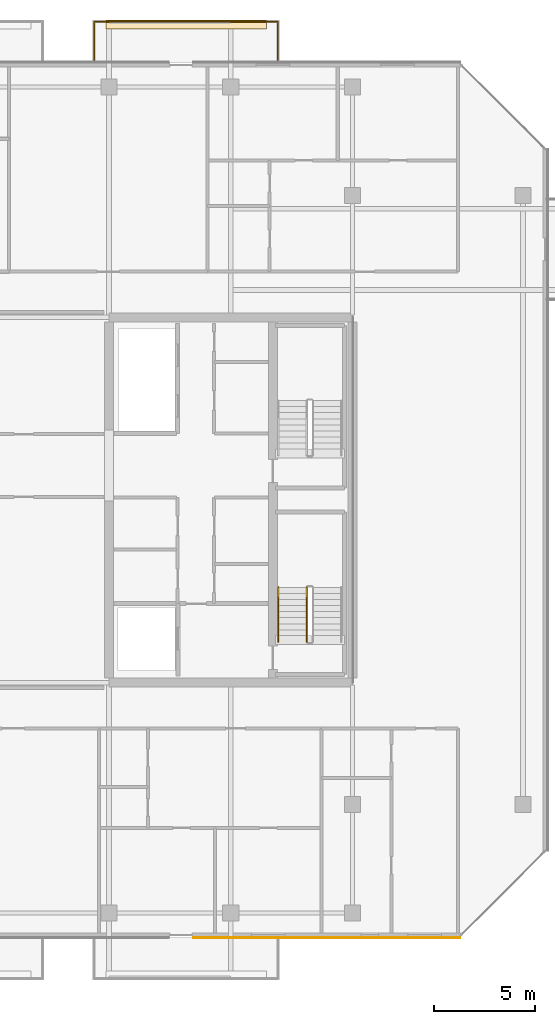
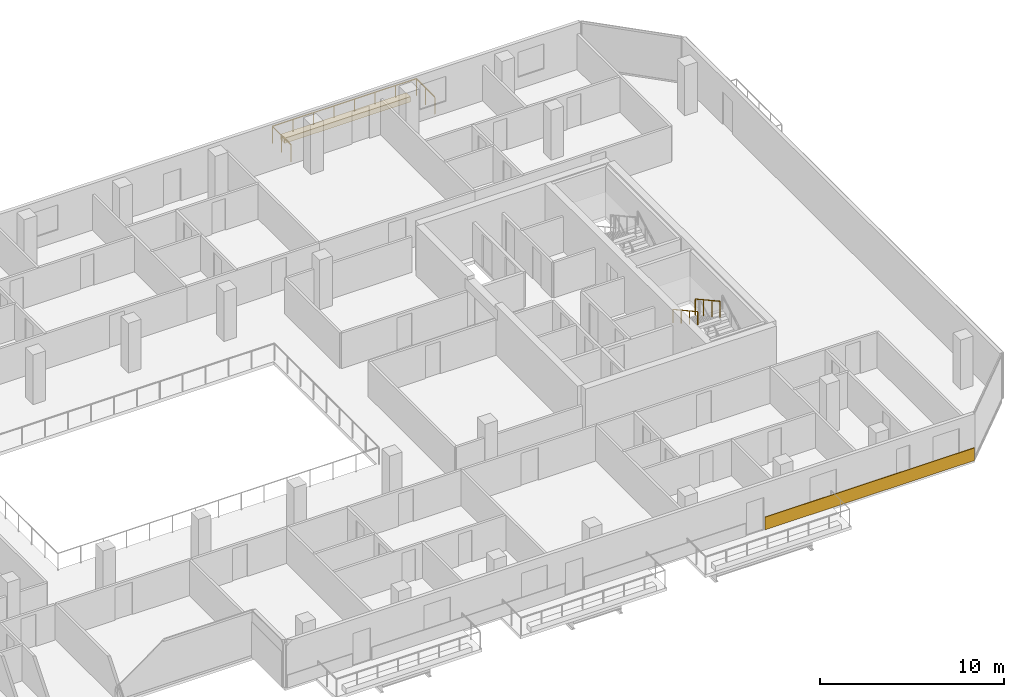
# One storey, part 28 of 29: 3 railings, 2 coverings.
"""IFC4 building model written with IfcOpenShell, lengths in metres."""

from ifc_helpers import new_model, si_unit, direction, frame, origin, origin_2d, place, context, subcontext, project, spatial, polyline, rectangle, outline, extrude, material, layer, layer_set, type_object, element, save


model = new_model("IFC4")

# Units and contexts
model_context = context("Model", 3, precision=1e-05, world=origin(), true_north=direction((0.0, 1.0)))
body_context = subcontext(model_context, "Body", "Model", "MODEL_VIEW")
ifc_project = project(units=[si_unit("LENGTHUNIT", "METRE"), si_unit("AREAUNIT", "SQUARE_METRE"), si_unit("VOLUMEUNIT", "CUBIC_METRE"), si_unit("PLANEANGLEUNIT", "RADIAN"), si_unit("MASSUNIT", "GRAM", prefix="KILO")], contexts=[model_context])

# Site, building, storey
site_placement = place(None, origin())
site = spatial("IfcSite", under=ifc_project, at=site_placement, CompositionType="ELEMENT")
building_placement = place(site_placement, origin())
building = spatial("IfcBuilding", under=site, at=building_placement, Name="Tanjung Sevakor Pilgrim Tower", CompositionType="ELEMENT")
storey_placement = place(building_placement, frame((0.0, 0.0, 188.429931640625)))
storey = spatial("IfcBuildingStorey", under=building, at=storey_placement, Name="L52", CompositionType="ELEMENT", Elevation=188.429931640625)

# Coverings
ifc_material_1 = material(Name="Reconstructed Limestone Cladding", Category="masonry")
ifc_layer_1 = layer(ifc_material_1, 0.044921875)
ifc_layer_set_1 = layer_set([ifc_layer_1], Name="COV-CLAD-LIMESTONE")
covering_type_1 = type_object("IfcCoveringType", Name="COV-CLAD-LIMESTONE", PredefinedType="CLADDING", material=ifc_layer_set_1)
covering_1_placement = place(storey_placement, frame((88.7373046875, 12.027587890625, 0.01025390625), z_axis=(0.0, 0.0, 1.0), x_axis=(1.0, 0.0, 0.0)))
element("IfcCovering", 1, at=covering_1_placement, inside=storey, type_object=covering_type_1, Name="L52 Warm Limestone Sill Spandrel EW-L52-MAIN-5-4", PredefinedType="CLADDING", context=body_context, shape_type="SweptSolid", body=[
    extrude(rectangle(XDim=13.154296875, YDim=0.044921875, at=origin_2d()), origin(), (0.0, 0.0, 1.0), 0.840087890625),
])
ifc_material_2 = material(Name="Vegetated Modular Planter Assembly", Category="organic")
ifc_layer_2 = layer(ifc_material_2, 0.35009765625)
ifc_layer_set_2 = layer_set([ifc_layer_2], Name="COV-GRN-TROUGH")
covering_type_2 = type_object("IfcCoveringType", Name="COV-GRN-TROUGH", PredefinedType="CLADDING", material=ifc_layer_set_2)
covering_2_placement = place(storey_placement, origin())
element("IfcCovering", 2, at=covering_2_placement, inside=storey, type_object=covering_type_2, Name="L52 Planted Landscape Hedge Trough BGRN-L52-MAIN-N4", PredefinedType="CLADDING", context=body_context, shape_type="SweptSolid", body=[
    extrude(outline(polyline([(77.85009765625, 56.81005859375), (85.75, 56.81005859375), (85.75, 57.25), (77.85009765625, 57.25), (77.85009765625, 56.81005859375)])), origin(), (0.0, 0.0, 1.0), 0.35009765625),
])

# Railings
ifc_material_3 = material(Name="Laminated Glass and Aluminium", Category="aluminium")
railing_type_1 = type_object("IfcRailingType", Name="RL-BAL-BALUST", PredefinedType="BALUSTRADE", material=ifc_material_3)
railing_1_placement = place(storey_placement, frame((77.280029296875, 55.14990234375, 0.0)))
element("IfcRailing", 3, at=railing_1_placement, inside=storey, type_object=railing_type_1, Name="L52 Loggia Balustrade MAIN-N4", PredefinedType="BALUSTRADE", context=body_context, shape_type="SweptSolid", body=[
    extrude(rectangle(XDim=0.0479, YDim=0.0479), frame((0.0, 0.0, 1.1259765625), z_axis=(0.0, 1.0, 0.0), x_axis=(-1.0, 0.0, 0.0)), (0.0, 0.0, 1.0), 2.02001953125),
    extrude(rectangle(XDim=0.0479, YDim=0.0479), frame((0.0, 2.02001953125, 1.1259765625), z_axis=(1.0, 0.0, 0.0), x_axis=(0.0, 1.0, 0.0)), (0.0, 0.0, 1.0), 9.0400390625),
    extrude(rectangle(XDim=0.0479, YDim=0.0479), frame((9.0400390625, 2.02001953125, 1.1259765625), z_axis=(0.0, -1.0, 0.0), x_axis=(1.0, 0.0, 0.0)), (0.0, 0.0, 1.0), 2.02001953125),
    extrude(rectangle(XDim=0.042, YDim=0.042), origin(), (0.0, 0.0, 1.0), 1.101806640625),
    extrude(rectangle(XDim=0.042, YDim=0.042), frame((0.0, 1.010009765625, 0.0)), (0.0, 0.0, 1.0), 1.101806640625),
    extrude(rectangle(XDim=0.042, YDim=0.042), frame((0.0, 2.02001953125, 0.0)), (0.0, 0.0, 1.0), 1.101806640625),
    extrude(rectangle(XDim=0.042, YDim=0.042), frame((1.29150390625, 2.02001953125, 0.0)), (0.0, 0.0, 1.0), 1.101806640625),
    extrude(rectangle(XDim=0.042, YDim=0.042), frame((2.582763671875, 2.02001953125, 0.0)), (0.0, 0.0, 1.0), 1.101806640625),
    extrude(rectangle(XDim=0.042, YDim=0.042), frame((3.874267578125, 2.02001953125, 0.0)), (0.0, 0.0, 1.0), 1.101806640625),
    extrude(rectangle(XDim=0.042, YDim=0.042), frame((5.165771484375, 2.02001953125, 0.0)), (0.0, 0.0, 1.0), 1.101806640625),
    extrude(rectangle(XDim=0.042, YDim=0.042), frame((6.457275390625, 2.02001953125, 0.0)), (0.0, 0.0, 1.0), 1.101806640625),
    extrude(rectangle(XDim=0.042, YDim=0.042), frame((7.74853515625, 2.02001953125, 0.0)), (0.0, 0.0, 1.0), 1.101806640625),
    extrude(rectangle(XDim=0.042, YDim=0.042), frame((9.0400390625, 2.02001953125, 0.0)), (0.0, 0.0, 1.0), 1.101806640625),
    extrude(rectangle(XDim=0.042, YDim=0.042), frame((9.0400390625, 1.010009765625, 0.0)), (0.0, 0.0, 1.0), 1.101806640625),
    extrude(rectangle(XDim=0.042, YDim=0.042), frame((9.0400390625, 0.0, 0.0)), (0.0, 0.0, 1.0), 1.101806640625),
])
ifc_material_4 = material(Name="Steel S355J2", Category="steel")
railing_type_2 = type_object("IfcRailingType", Name="RL-STAIR-GUARD", PredefinedType="GUARDRAIL", material=ifc_material_4)
railing_2_placement = place(storey_placement, frame((87.75, 29.300048828125, 1.815185546875)))
element("IfcRailing", 4, at=railing_2_placement, inside=storey, type_object=railing_type_2, Name="L52 TS-E1 stair guard 3", PredefinedType="GUARDRAIL", context=body_context, shape_type="SweptSolid", body=[
    extrude(rectangle(XDim=0.0479, YDim=0.0479), frame((0.0, 0.0, 1.076171875), z_axis=(0.0, -0.876230963923, 0.481891375584), x_axis=(1.0, 0.0, 0.0)), (0.0, 0.0, 1.0), 3.081298828125),
    extrude(rectangle(XDim=0.042, YDim=0.042), origin(), (0.0, 0.0, 1.0), 1.052001953125),
    extrude(rectangle(XDim=0.042, YDim=0.042), frame((0.0, -0.89990234375, 0.494873046875)), (0.0, 0.0, 1.0), 1.052001953125),
    extrude(rectangle(XDim=0.042, YDim=0.042), frame((0.0, -1.800048828125, 0.989990234375)), (0.0, 0.0, 1.0), 1.052001953125),
    extrude(rectangle(XDim=0.042, YDim=0.042), frame((0.0, -2.699951171875, 1.48486328125)), (0.0, 0.0, 1.0), 1.052001953125),
])
ifc_material_5 = material(Name="Steel S355J2", Category="steel")
railing_type_3 = type_object("IfcRailingType", Name="RL-STAIR-HAND", PredefinedType="HANDRAIL", material=ifc_material_5)
railing_3_placement = place(storey_placement, frame((86.35009765625, 29.300048828125, 1.815185546875)))
element("IfcRailing", 5, at=railing_3_placement, inside=storey, type_object=railing_type_3, Name="L52 TS-E1 stair handrail 2", PredefinedType="HANDRAIL", context=body_context, shape_type="SweptSolid", body=[
    extrude(rectangle(XDim=0.0479, YDim=0.0479), frame((0.0, 0.0, 0.8759765625), z_axis=(0.0, -0.876230963923, 0.481891375584), x_axis=(1.0, 0.0, 0.0)), (0.0, 0.0, 1.0), 3.081298828125),
    extrude(rectangle(XDim=0.042, YDim=0.042), origin(), (0.0, 0.0, 1.0), 0.851806640625),
    extrude(rectangle(XDim=0.042, YDim=0.042), frame((0.0, -0.89990234375, 0.494873046875)), (0.0, 0.0, 1.0), 0.851806640625),
    extrude(rectangle(XDim=0.042, YDim=0.042), frame((0.0, -1.800048828125, 0.989990234375)), (0.0, 0.0, 1.0), 0.851806640625),
    extrude(rectangle(XDim=0.042, YDim=0.042), frame((0.0, -2.699951171875, 1.48486328125)), (0.0, 0.0, 1.0), 0.851806640625),
])

save(model, "model.ifc")
